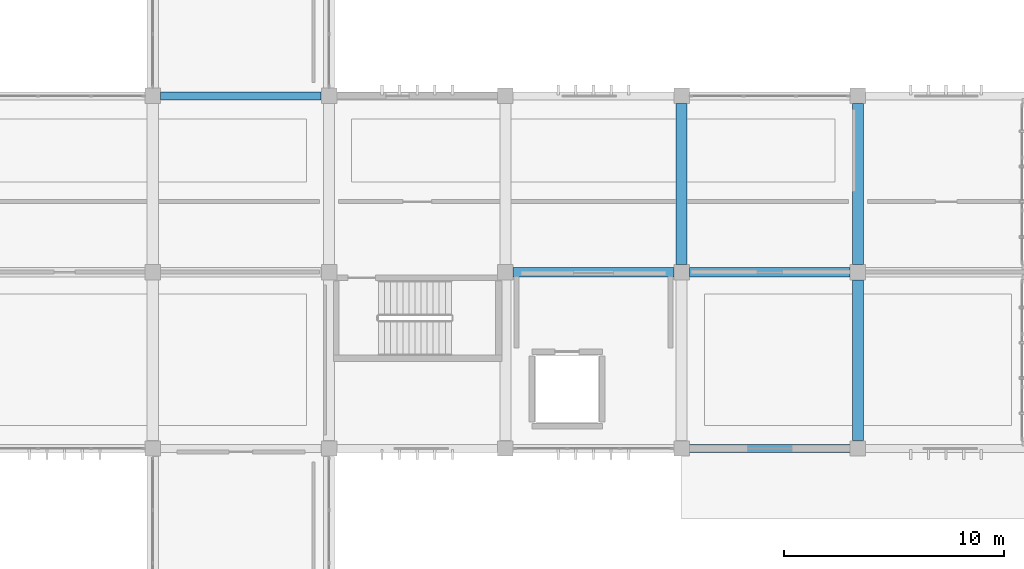
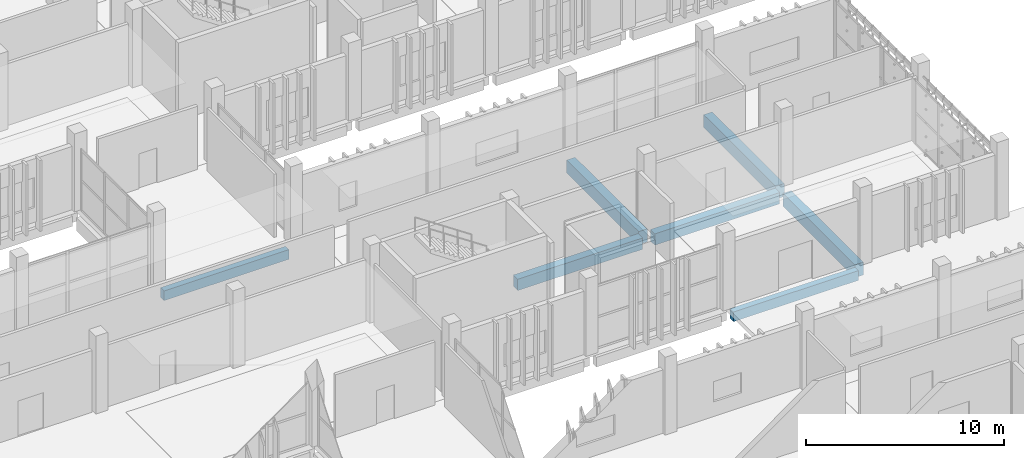
# One storey, part 41 of 117: 7 beams.
"""IFC4 building model written with IfcOpenShell, lengths in metres."""

import ifcopenshell
import ifcopenshell.guid

model = None  # the IFC model being written
_history = None  # IfcOwnerHistory: only IFC2X3 demands one
_inside = {}  # id of a spatial element -> (the spatial element, [elements in it])
_under = {}  # id of a project, library or spatial element -> (it, [spatial elements below it])
_declared = {}  # id of a project -> (the project, [libraries it declares])
_typed = {}  # id of a type object -> (the type object, [elements of that type])
_made_of = {}  # id of a material, layer set ... -> (it, [elements and type objects made of it])


def new_model(schema):
    """Start an empty IFC model of exactly this schema.

    Asked for "IFC4X3", IfcOpenShell would pick the latest addendum, in which some entities
    have other attributes; the version numbers below select the first issue.
    IFC2X3 requires an IfcOwnerHistory on every rooted entity: one is made here for all.
    """
    global model, _history
    if schema == "IFC4X3":
        model = ifcopenshell.file(schema_version=(4, 3, 0, 0))
    else:
        model = ifcopenshell.file(schema=schema)
    _inside.clear()
    _under.clear()
    _declared.clear()
    _typed.clear()
    _made_of.clear()
    _history = None
    if model.schema == "IFC2X3":
        org = make("IfcOrganization", Name="unknown")
        user = make(
            "IfcPersonAndOrganization",
            ThePerson=make("IfcPerson", FamilyName="unknown"),
            TheOrganization=org,
        )
        app = make(
            "IfcApplication",
            ApplicationDeveloper=org,
            Version="unknown",
            ApplicationFullName="unknown",
            ApplicationIdentifier="unknown",
        )
        _history = make(
            "IfcOwnerHistory",
            OwningUser=user,
            OwningApplication=app,
            ChangeAction="ADDED",
            CreationDate=0,
        )
    return model


def make(cls, **values):
    """One entity of the class cls with the attributes given. An attribute that is None is left unset."""
    return model.create_entity(
        cls, **{name: value for name, value in values.items() if value is not None}
    )


def rooted(cls, **values):
    """An entity with a GlobalId (a new one), such as an element, a storey or a relation."""
    return make(cls, GlobalId=ifcopenshell.guid.new(), OwnerHistory=_history, **values)


def si_unit(unit_type, name, prefix=None):
    """IfcSIUnit, for example si_unit("LENGTHUNIT", "METRE", prefix="MILLI")."""
    return make("IfcSIUnit", UnitType=unit_type, Prefix=prefix, Name=name)


def assignment(units):
    """IfcUnitAssignment: the units of a project."""
    return None if units is None else make("IfcUnitAssignment", Units=units)


def point(xyz):
    """IfcCartesianPoint."""
    return None if xyz is None else make("IfcCartesianPoint", Coordinates=xyz)


def direction(xyz):
    """IfcDirection."""
    return None if xyz is None else make("IfcDirection", DirectionRatios=xyz)


def frame(location, z_axis=None, x_axis=None):
    """IfcAxis2Placement3D, a coordinate frame: its origin and axes. An axis left out is left unset."""
    return make(
        "IfcAxis2Placement3D",
        Location=point(location),
        Axis=direction(z_axis),
        RefDirection=direction(x_axis),
    )


def frame_2d(location, x_axis=None):
    """IfcAxis2Placement2D, a coordinate frame in the plane: its origin and x axis."""
    return make(
        "IfcAxis2Placement2D", Location=point(location), RefDirection=direction(x_axis)
    )


def origin():
    """The frame at (0, 0, 0) with its axes left unset."""
    return frame((0.0, 0.0, 0.0))


def origin_2d():
    """The frame at (0, 0) in the plane with its x axis left unset."""
    return frame_2d((0.0, 0.0))


def place(relative_to, where):
    """IfcLocalPlacement: puts the frame where relative to a parent placement (None: the world)."""
    return make(
        "IfcLocalPlacement", PlacementRelTo=relative_to, RelativePlacement=where
    )


def context(
    kind, dimensions, precision=None, world=None, true_north=None, identifier=None
):
    """IfcGeometricRepresentationContext, for example the 3D "Model" context."""
    return make(
        "IfcGeometricRepresentationContext",
        ContextIdentifier=identifier,
        ContextType=kind,
        CoordinateSpaceDimension=dimensions,
        Precision=precision,
        WorldCoordinateSystem=world,
        TrueNorth=true_north,
    )


def subcontext(parent, identifier, kind, view, scale=None):
    """IfcGeometricRepresentationSubContext, for example "Body" below "Model"."""
    return make(
        "IfcGeometricRepresentationSubContext",
        ContextIdentifier=identifier,
        ContextType=kind,
        ParentContext=parent,
        TargetScale=scale,
        TargetView=view,
    )


def project(units=None, contexts=None):
    """IfcProject with its units and contexts."""
    return rooted(
        "IfcProject",
        Name="project",
        RepresentationContexts=contexts,
        UnitsInContext=assignment(units),
    )


def spatial(cls, under=None, at=None, **own):
    """A site, building, storey or space (cls), placed at a placement, below another one or the project."""
    s = rooted(cls, ObjectPlacement=at, **own)
    if under is not None:
        _under.setdefault(under.id(), (under, []))[1].append(s)
    return s


def profile(cls, at=None, kind="AREA", **sizes):
    """A parametric profile (cls). Its sizes go by their IFC names, for example OverallWidth=200.0."""
    return make(cls, ProfileType=kind, Position=at, **sizes)


def rectangle(**sizes):
    """IfcRectangleProfileDef."""
    return profile("IfcRectangleProfileDef", **sizes)


def extrude(swept, where, along, depth):
    """IfcExtrudedAreaSolid: the profile swept, set in the frame where, extruded along a direction by depth."""
    return make(
        "IfcExtrudedAreaSolid",
        SweptArea=swept,
        Position=where,
        ExtrudedDirection=direction(along),
        Depth=depth,
    )


def shape(context_of_items, identifier, shape_type, items):
    """IfcShapeRepresentation: the items that make up one representation, for example the "Body"."""
    return make(
        "IfcShapeRepresentation",
        ContextOfItems=context_of_items,
        RepresentationIdentifier=identifier,
        RepresentationType=shape_type,
        Items=items,
    )


def material(Name=None, Category=None):
    """IfcMaterial."""
    return make("IfcMaterial", Name=Name, Category=Category)


def material_profile(
    of_material, cross_section, Name=None, Category=None, Priority=None
):
    """IfcMaterialProfile: a cross section and its material."""
    return make(
        "IfcMaterialProfile",
        Name=Name,
        Material=of_material,
        Profile=cross_section,
        Priority=Priority,
        Category=Category,
    )


def profile_set(profiles, Name=None, composite=None):
    """IfcMaterialProfileSet."""
    return make(
        "IfcMaterialProfileSet",
        Name=Name,
        MaterialProfiles=profiles,
        CompositeProfile=composite,
    )


def made_of(thing, what):
    """Note that an element or type object is made of a material, layer set ...; save() writes the relation."""
    if what is not None:
        _made_of.setdefault(what.id(), (what, []))[1].append(thing)
    return thing


def type_object(cls, material=None, **own):
    """A type object (cls), such as IfcWallType, which elements share."""
    return made_of(rooted(cls, **own), material)


def element(
    cls,
    number,
    at=None,
    inside=None,
    cuts=None,
    type_object=None,
    material=None,
    context=None,
    identifier="Body",
    shape_type=None,
    held_by="IfcProductDefinitionShape",
    body=None,
    shapes=None,
    **own,
):
    """One element of the class cls, such as IfcWall. Its Tag is "e" and its number.

    at: its placement. inside: the storey or other place that contains it. cuts: it is an
    opening in that element (IfcRelVoidsElement). A single representation is given by context,
    identifier, shape_type and body (its items); several are given by shapes. held_by: the class
    of the entity that holds the representations. save() writes the other relations.
    """
    e = rooted(cls, Tag="e%d" % number, ObjectPlacement=at, **own)
    if body is not None:
        shapes = [shape(context, identifier, shape_type, body)]
    if shapes is not None:
        e.Representation = make(held_by, Representations=shapes)
    if inside is not None:
        _inside.setdefault(inside.id(), (inside, []))[1].append(e)
    if cuts is not None:
        rooted(
            "IfcRelVoidsElement", RelatingBuildingElement=cuts, RelatedOpeningElement=e
        )
    if type_object is not None:
        _typed.setdefault(type_object.id(), (type_object, []))[1].append(e)
    return made_of(e, material)


def aggregate(whole, parts):
    """IfcRelAggregates: a whole, such as a stair, and the parts it consists of."""
    return rooted("IfcRelAggregates", RelatingObject=whole, RelatedObjects=parts)


def save(model, path):
    """Write the relations noted so far, then the file.

    IfcRelAggregates (storeys below a building ...), IfcRelContainedInSpatialStructure (elements
    in a storey), IfcRelDefinesByType, IfcRelAssociatesMaterial and IfcRelDeclares: one each for
    every whole, place, type object, material and project.
    """
    for whole, parts in _under.values():
        aggregate(whole, parts)
    for where, things in _inside.values():
        rooted(
            "IfcRelContainedInSpatialStructure",
            RelatedElements=things,
            RelatingStructure=where,
        )
    for kind, things in _typed.values():
        rooted("IfcRelDefinesByType", RelatedObjects=things, RelatingType=kind)
    for what, things in _made_of.values():
        rooted("IfcRelAssociatesMaterial", RelatedObjects=things, RelatingMaterial=what)
    for by, libraries in _declared.values():
        rooted("IfcRelDeclares", RelatingContext=by, RelatedDefinitions=libraries)
    model.write(path)


model = new_model("IFC4")

# Units and contexts
model_context = context("Model", 3, precision=1e-05, world=origin(), true_north=direction((0.0, 1.0)))
body_context = subcontext(model_context, "Body", "Model", "MODEL_VIEW")
ifc_project = project(units=[si_unit("LENGTHUNIT", "METRE"), si_unit("AREAUNIT", "SQUARE_METRE"), si_unit("VOLUMEUNIT", "CUBIC_METRE"), si_unit("PLANEANGLEUNIT", "RADIAN"), si_unit("MASSUNIT", "GRAM", prefix="KILO")], contexts=[model_context])

# Site, building, storey
site_placement = place(None, origin())
site = spatial("IfcSite", under=ifc_project, at=site_placement, CompositionType="ELEMENT")
building_placement = place(site_placement, origin())
building = spatial("IfcBuilding", under=site, at=building_placement, Name="Jelvoka-Kovrelna Polytechnic", CompositionType="ELEMENT")
storey_placement = place(building_placement, origin())
storey = spatial("IfcBuildingStorey", under=building, at=storey_placement, Name="L01", CompositionType="ELEMENT", Elevation=0.0)

# Beams
ifc_material_1 = material(Name="Concrete C40/50", Category="concrete")
ifc_material_profile_1 = material_profile(ifc_material_1, rectangle(XDim=0.449951171875, YDim=0.699951171875, at=origin_2d()), Name="RC 450x700")
ifc_profile_set_1 = profile_set([ifc_material_profile_1], Name="Concrete C40/50")
beam_type_1 = type_object("IfcBeamType", Name="Beam_RC_450x700", PredefinedType="BEAM", material=ifc_profile_set_1)
for number, where, z_axis, x_axis, name in (
    (1, (88.35498046875, 40.0, -0.7548828125), (1.0, 0.0, 0.0), (0.0, 1.0, 0.0), "L01 beam 0376"),
    (2, (96.35498046875, 40.0, -0.7548828125), (1.0, 0.0, 0.0), (0.0, 1.0, 0.0), "L01 beam 0377"),
):
    element("IfcBeam", number, at=place(storey_placement, frame(where, z_axis=z_axis, x_axis=x_axis)), inside=storey, type_object=beam_type_1, Name=name, PredefinedType="BEAM", context=body_context, shape_type="SweptSolid", body=[
        extrude(rectangle(XDim=0.449951171875, YDim=0.699951171875, at=origin_2d()), origin(), (0.0, 0.0, 1.0), 7.2900390625),
    ])
ifc_material_2 = material(Name="Concrete C40/50", Category="concrete")
ifc_material_profile_2 = material_profile(ifc_material_2, rectangle(XDim=0.5, YDim=0.800048828125, at=origin_2d()), Name="RC 500x800")
ifc_profile_set_2 = profile_set([ifc_material_profile_2], Name="Concrete C40/50")
beam_type_2 = type_object("IfcBeamType", Name="Beam_RC_500x800", PredefinedType="BEAM", material=ifc_profile_set_2)
for number, where, z_axis, x_axis, name in (
    (3, (96.0, 40.35498046875, -0.804931640625), (0.0, 1.0, 0.0), (-1.0, 0.0, 0.0), "L01 beam 0397"),
    (4, (104.0, 32.35498046875, -0.804931640625), (0.0, 1.0, 0.0), (-1.0, 0.0, 0.0), "L01 beam 0398"),
    (5, (104.0, 40.35498046875, -0.804931640625), (0.0, 1.0, 0.0), (-1.0, 0.0, 0.0), "L01 beam 0399"),
):
    element("IfcBeam", number, at=place(storey_placement, frame(where, z_axis=z_axis, x_axis=x_axis)), inside=storey, type_object=beam_type_2, Name=name, PredefinedType="BEAM", context=body_context, shape_type="SweptSolid", body=[
        extrude(rectangle(XDim=0.5, YDim=0.800048828125, at=origin_2d()), origin(), (0.0, 0.0, 1.0), 7.2900390625),
    ])
ifc_material_3 = material(Name="Concrete C40/50", Category="concrete")
ifc_material_profile_3 = material_profile(ifc_material_3, rectangle(XDim=0.35009765625, YDim=0.60009765625, at=origin_2d()), Name="RC 350x600")
ifc_profile_set_3 = profile_set([ifc_material_profile_3], Name="Concrete C40/50")
beam_type_3 = type_object("IfcBeamType", Name="Spandrel_RC_350x600", PredefinedType="SPANDREL", material=ifc_profile_set_3)
for number, where, z_axis, x_axis, name in (
    (6, (96.35498046875, 32.0, -0.705078125), (1.0, 0.0, 0.0), (0.0, 1.0, 0.0), "L01 beam 0371"),
    (7, (72.35498046875, 48.0, -0.705078125), (1.0, 0.0, 0.0), (0.0, 1.0, 0.0), "L01 beam 0381"),
):
    element("IfcBeam", number, at=place(storey_placement, frame(where, z_axis=z_axis, x_axis=x_axis)), inside=storey, type_object=beam_type_3, Name=name, PredefinedType="SPANDREL", context=body_context, shape_type="SweptSolid", body=[
        extrude(rectangle(XDim=0.35009765625, YDim=0.60009765625, at=origin_2d()), origin(), (0.0, 0.0, 1.0), 7.2900390625),
    ])

save(model, "model.ifc")
